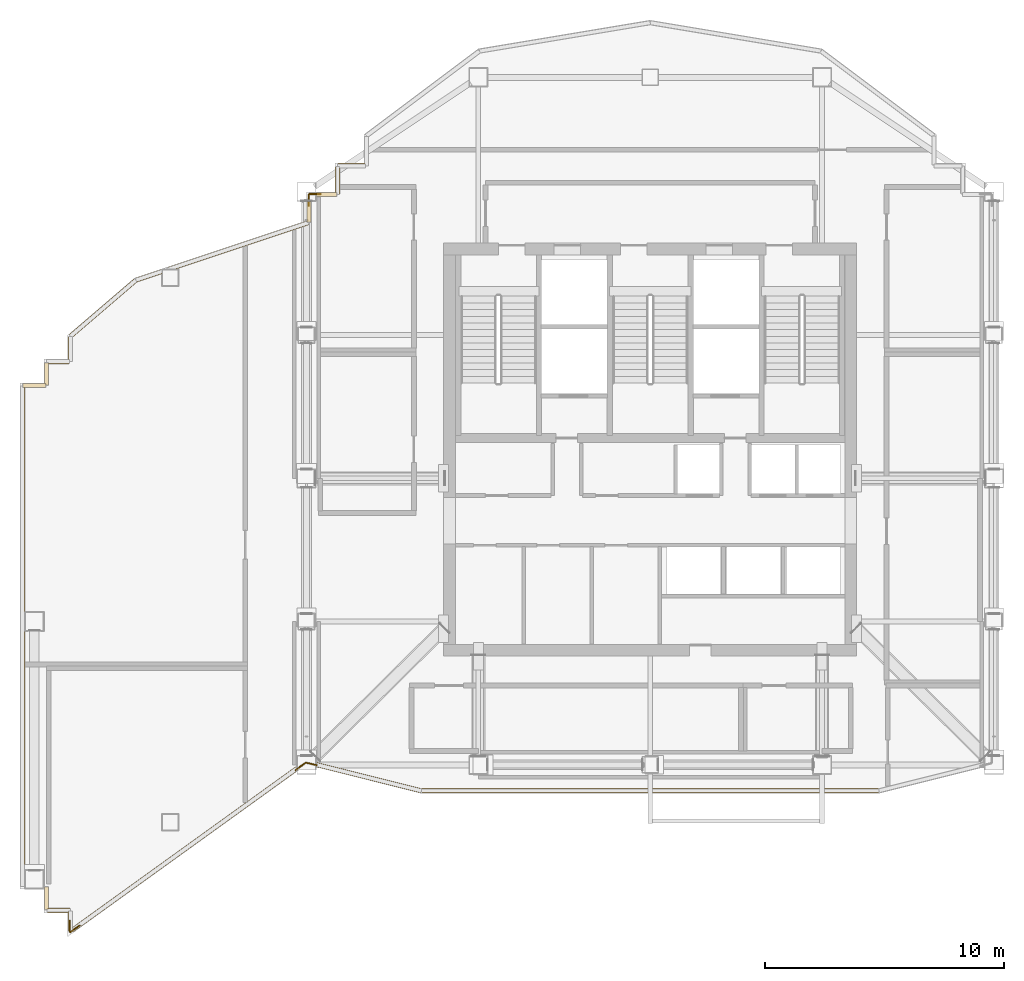
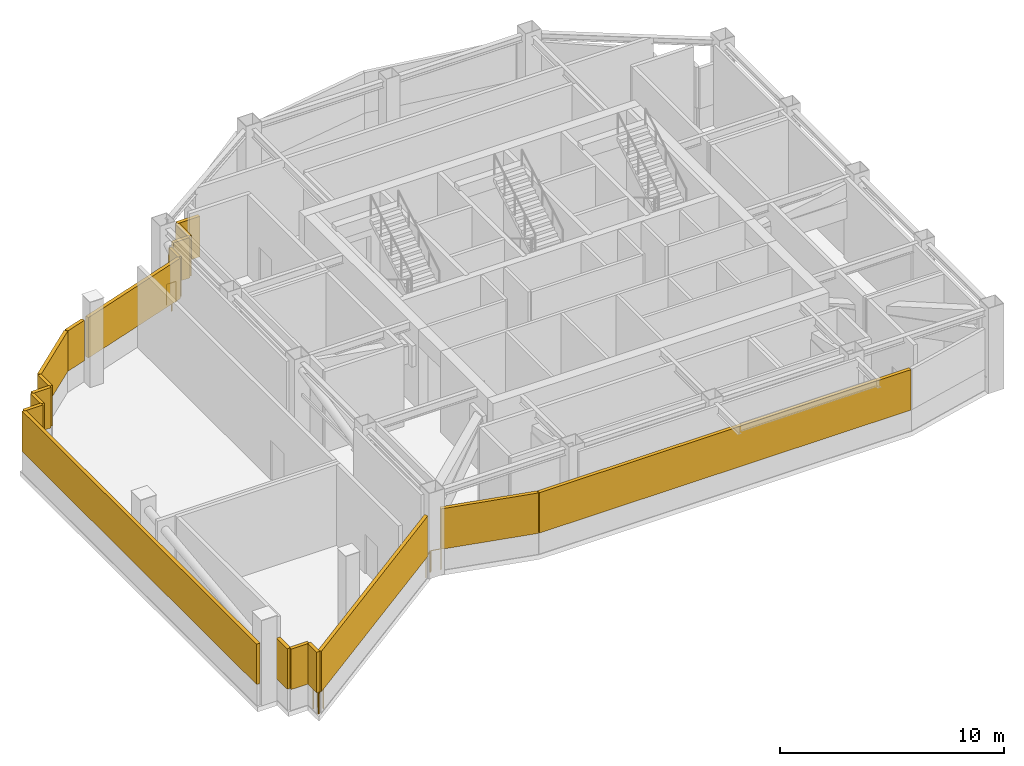
# One storey, part 13 of 15: 18 shading devices, 6 railings.
"""IFC4 building model written with IfcOpenShell, lengths in metres."""

from ifc_helpers import new_model, si_unit, direction, frame, origin, origin_2d, place, context, subcontext, project, spatial, rectangle, circle, extrude, material, type_object, element, save


model = new_model("IFC4")

# Units and contexts
model_context = context("Model", 3, precision=1e-05, world=origin(), true_north=direction((0.0, 1.0)))
body_context = subcontext(model_context, "Body", "Model", "MODEL_VIEW")
ifc_project = project(units=[si_unit("LENGTHUNIT", "METRE"), si_unit("AREAUNIT", "SQUARE_METRE"), si_unit("VOLUMEUNIT", "CUBIC_METRE"), si_unit("PLANEANGLEUNIT", "RADIAN"), si_unit("MASSUNIT", "GRAM", prefix="KILO")], contexts=[model_context])

# Site, building, storey
site_placement = place(None, origin())
site = spatial("IfcSite", under=ifc_project, at=site_placement, CompositionType="ELEMENT")
building_placement = place(site_placement, origin())
building = spatial("IfcBuilding", under=site, at=building_placement, Name="Haolan Belvedere Tower", CompositionType="ELEMENT")
storey_placement = place(building_placement, frame((0.0, 0.0, 277.550048828125)))
storey = spatial("IfcBuildingStorey", under=building, at=storey_placement, Name="L70", CompositionType="ELEMENT", Elevation=277.550048828125)

# Railings
ifc_material_1 = material(Name="Galvanised powder-coated steel guardrail", Category="steel")
railing_type = type_object("IfcRailingType", Name="RL-REF-GRD-1150", PredefinedType="GUARDRAIL", material=ifc_material_1)
railing_1_placement = place(storey_placement, frame((24.42578125, 21.586181640625, 0.0)))
element("IfcRailing", 1, at=railing_1_placement, inside=storey, type_object=railing_type, Name="L70 refuge corner safety guardrail 1A", PredefinedType="GUARDRAIL", context=body_context, shape_type="SweptSolid", body=[
    extrude(circle(Radius=0.02392578125, at=origin_2d()), frame((0.0, 0.0, 1.1259765625), z_axis=(-0.974532291101, 0.224247215372, 0.0), x_axis=(-0.224247215372, -0.974532291101, 0.0)), (0.0, 0.0, 1.0), 0.466064453125),
    extrude(circle(Radius=0.02099609375, at=origin_2d()), origin(), (0.0, 0.0, 1.0), 1.101806640625),
    extrude(circle(Radius=0.02099609375, at=origin_2d()), frame((-0.4541015625, 0.1044921875, 0.0)), (0.0, 0.0, 1.0), 1.101806640625),
])
railing_2_placement = place(storey_placement, frame((23.923095703125, 21.655517578125, 0.0)))
element("IfcRailing", 2, at=railing_2_placement, inside=storey, type_object=railing_type, Name="L70 refuge corner safety guardrail 1B", PredefinedType="GUARDRAIL", context=body_context, shape_type="SweptSolid", body=[
    extrude(circle(Radius=0.02392578125, at=origin_2d()), frame((0.0, 0.0, 1.1259765625), z_axis=(-0.811622975054, -0.584181603925, 0.0), x_axis=(0.584181603925, -0.811622975054, 0.0)), (0.0, 0.0, 1.0), 0.47021484375),
    extrude(circle(Radius=0.02099609375, at=origin_2d()), origin(), (0.0, 0.0, 1.0), 1.101806640625),
    extrude(circle(Radius=0.02099609375, at=origin_2d()), frame((-0.381591796875, -0.274658203125, 0.0)), (0.0, 0.0, 1.0), 1.101806640625),
])
railing_3_placement = place(storey_placement, frame((24.090087890625, 45.010009765625, 0.0)))
element("IfcRailing", 3, at=railing_3_placement, inside=storey, type_object=railing_type, Name="L70 refuge corner safety guardrail 4A", PredefinedType="GUARDRAIL", context=body_context, shape_type="SweptSolid", body=[
    extrude(circle(Radius=0.02392578125, at=origin_2d()), frame((0.0, 0.0, 1.1259765625), z_axis=(0.0, 1.0, 0.0), x_axis=(-1.0, 0.0, 0.0)), (0.0, 0.0, 1.0), 0.469970703125),
    extrude(circle(Radius=0.02099609375, at=origin_2d()), origin(), (0.0, 0.0, 1.0), 1.101806640625),
    extrude(circle(Radius=0.02099609375, at=origin_2d()), frame((0.0, 0.469970703125, 0.0)), (0.0, 0.0, 1.0), 1.101806640625),
])
railing_4_placement = place(storey_placement, frame((24.1201171875, 45.510009765625, 0.0)))
element("IfcRailing", 4, at=railing_4_placement, inside=storey, type_object=railing_type, Name="L70 refuge corner safety guardrail 4B", PredefinedType="GUARDRAIL", context=body_context, shape_type="SweptSolid", body=[
    extrude(circle(Radius=0.02392578125, at=origin_2d()), frame((0.0, 0.0, 1.1259765625), z_axis=(1.0, 0.0, 0.0), x_axis=(0.0, 1.0, 0.0)), (0.0, 0.0, 1.0), 0.469970703125),
    extrude(circle(Radius=0.02099609375, at=origin_2d()), origin(), (0.0, 0.0, 1.0), 1.101806640625),
    extrude(circle(Radius=0.02099609375, at=origin_2d()), frame((0.469970703125, 0.0, 0.0)), (0.0, 0.0, 1.0), 1.101806640625),
])
railing_5_placement = place(storey_placement, frame((14.495849609375, 14.867919921875, 0.0)))
element("IfcRailing", 5, at=railing_5_placement, inside=storey, type_object=railing_type, Name="L70 refuge corner safety guardrail 5A", PredefinedType="GUARDRAIL", context=body_context, shape_type="SweptSolid", body=[
    extrude(circle(Radius=0.02392578125, at=origin_2d()), frame((0.0, 0.0, 1.1259765625), z_axis=(-0.811622975054, -0.584181603925, 0.0), x_axis=(0.584181603925, -0.811622975054, 0.0)), (0.0, 0.0, 1.0), 0.47021484375),
    extrude(circle(Radius=0.02099609375, at=origin_2d()), origin(), (0.0, 0.0, 1.0), 1.101806640625),
    extrude(circle(Radius=0.02099609375, at=origin_2d()), frame((-0.381591796875, -0.274658203125, 0.0)), (0.0, 0.0, 1.0), 1.101806640625),
])
railing_6_placement = place(storey_placement, frame((14.090087890625, 14.605712890625, 0.0)))
element("IfcRailing", 6, at=railing_6_placement, inside=storey, type_object=railing_type, Name="L70 refuge corner safety guardrail 5B", PredefinedType="GUARDRAIL", context=body_context, shape_type="SweptSolid", body=[
    extrude(circle(Radius=0.02392578125, at=origin_2d()), frame((0.0, 0.0, 1.1259765625), z_axis=(0.0, 1.0, 0.0), x_axis=(-1.0, 0.0, 0.0)), (0.0, 0.0, 1.0), 0.469970703125),
    extrude(circle(Radius=0.02099609375, at=origin_2d()), origin(), (0.0, 0.0, 1.0), 1.101806640625),
    extrude(circle(Radius=0.02099609375, at=origin_2d()), frame((0.0, 0.469970703125, 0.0)), (0.0, 0.0, 1.0), 1.101806640625),
])

# Shading devices
ifc_material_2 = material(Name="Anodised champagne-silver aluminium 6063-T6", Category="aluminium")
shading_device_type = type_object("IfcShadingDeviceType", Name="SHD-LOUV-180", PredefinedType="JALOUSIE", material=ifc_material_2)
shading_device_1_placement = place(storey_placement, frame((38.39990234375, 20.510009765625, 1.14990234375), z_axis=(0.0, 0.0, 1.0), x_axis=(1.0, 0.0, 0.0)))
element("IfcShadingDevice", 7, at=shading_device_1_placement, inside=storey, type_object=shading_device_type, Name="L70 refuge storm-proof louvre bank 1.1", PredefinedType="JALOUSIE", context=body_context, shape_type="SweptSolid", body=[
    extrude(rectangle(XDim=19.133056640625, YDim=0.179931640625, at=origin_2d()), origin(), (0.0, 0.0, 1.0), 2.199951171875),
])
for number, where, z_axis, x_axis, name in (
    (8, (25.89501953125, 46.68994140625, 1.14990234375), (0.0, 0.0, 1.0), (-1.0, 0.0, 0.0), "L70 refuge storm-proof louvre bank 13.1"),
    (9, (25.31005859375, 46.074951171875, 1.14990234375), (0.0, 0.0, 1.0), (0.0, -1.0, 0.0), "L70 refuge storm-proof louvre bank 14.1"),
):
    element("IfcShadingDevice", number, at=place(storey_placement, frame(where, z_axis=z_axis, x_axis=x_axis)), inside=storey, type_object=shading_device_type, Name=name, PredefinedType="JALOUSIE", context=body_context, shape_type="SweptSolid", body=[
        extrude(rectangle(XDim=1.1298828125, YDim=0.179931640625, at=origin_2d()), origin(), (0.0, 0.0, 1.0), 2.199951171875),
    ])
shading_device_2_placement = place(storey_placement, frame((24.8359375, 45.489990234375, 1.14990234375), z_axis=(0.0, 0.0, 1.0), x_axis=(-1.0, 0.0, 0.0)))
element("IfcShadingDevice", 10, at=shading_device_2_placement, inside=storey, type_object=shading_device_type, Name="L70 refuge storm-proof louvre bank 15.1", PredefinedType="JALOUSIE", context=body_context, shape_type="SweptSolid", body=[
    extrude(rectangle(XDim=0.847900390625, YDim=0.179931640625, at=origin_2d()), origin(), (0.0, 0.0, 1.0), 2.199951171875),
])
shading_device_3_placement = place(storey_placement, frame((24.110107421875, 44.764404296875, 1.14990234375), z_axis=(0.0, 0.0, 1.0), x_axis=(0.0, -1.0, 0.0)))
element("IfcShadingDevice", 11, at=shading_device_3_placement, inside=storey, type_object=shading_device_type, Name="L70 refuge storm-proof louvre bank 16.1", PredefinedType="JALOUSIE", context=body_context, shape_type="SweptSolid", body=[
    extrude(rectangle(XDim=0.847412109375, YDim=0.179931640625, at=origin_2d()), origin(), (0.0, 0.0, 1.0), 2.199951171875),
])
shading_device_4_placement = place(storey_placement, frame((21.127685546875, 43.32666015625, 1.14990234375), z_axis=(0.0, 0.0, 1.0), x_axis=(-0.948688534679, -0.316212055698, 0.0)))
element("IfcShadingDevice", 12, at=shading_device_4_placement, inside=storey, type_object=shading_device_type, Name="L70 refuge storm-proof louvre bank 17.1", PredefinedType="JALOUSIE", context=body_context, shape_type="SweptSolid", body=[
    extrude(rectangle(XDim=6.187255859375, YDim=0.179931640625, at=origin_2d()), origin(), (0.0, 0.0, 1.0), 2.199951171875),
])
shading_device_5_placement = place(storey_placement, frame((17.406494140625, 42.086181640625, 1.14990234375), z_axis=(0.0, 0.0, 1.0), x_axis=(-0.948683015593, -0.316228613389, 0.0)))
element("IfcShadingDevice", 13, at=shading_device_5_placement, inside=storey, type_object=shading_device_type, Name="L70 refuge storm-proof louvre bank 17.2", PredefinedType="JALOUSIE", context=body_context, shape_type="SweptSolid", body=[
    extrude(rectangle(XDim=1.12255859375, YDim=0.179931640625, at=origin_2d()), origin(), (0.0, 0.0, 1.0), 2.199951171875),
])
shading_device_6_placement = place(storey_placement, frame((15.482666015625, 40.725830078125, 1.14990234375), z_axis=(0.0, 0.0, 1.0), x_axis=(-0.759248590567, -0.650800720438, 0.0)))
element("IfcShadingDevice", 14, at=shading_device_6_placement, inside=storey, type_object=shading_device_type, Name="L70 refuge storm-proof louvre bank 18.1", PredefinedType="JALOUSIE", context=body_context, shape_type="SweptSolid", body=[
    extrude(rectangle(XDim=3.57568359375, YDim=0.179931640625, at=origin_2d()), origin(), (0.0, 0.0, 1.0), 2.199951171875),
])
shading_device_7_placement = place(storey_placement, frame((14.110107421875, 39.019775390625, 1.14990234375), z_axis=(0.0, 0.0, 1.0), x_axis=(0.0, -1.0, 0.0)))
element("IfcShadingDevice", 15, at=shading_device_7_placement, inside=storey, type_object=shading_device_type, Name="L70 refuge storm-proof louvre bank 19.1", PredefinedType="JALOUSIE", context=body_context, shape_type="SweptSolid", body=[
    extrude(rectangle(XDim=1.019287109375, YDim=0.179931640625, at=origin_2d()), origin(), (0.0, 0.0, 1.0), 2.199951171875),
])
for number, where, z_axis, x_axis, name in (
    (16, (13.594970703125, 38.489990234375, 1.14990234375), (0.0, 0.0, 1.0), (-1.0, 0.0, 0.0), "L70 refuge storm-proof louvre bank 20.1"),
    (17, (13.110107421875, 37.97509765625, 1.14990234375), (0.0, 0.0, 1.0), (0.0, -1.0, 0.0), "L70 refuge storm-proof louvre bank 21.1"),
    (18, (12.594970703125, 37.489990234375, 1.14990234375), (0.0, 0.0, 1.0), (-1.0, 0.0, 0.0), "L70 refuge storm-proof louvre bank 22.1"),
):
    element("IfcShadingDevice", number, at=place(storey_placement, frame(where, z_axis=z_axis, x_axis=x_axis)), inside=storey, type_object=shading_device_type, Name=name, PredefinedType="JALOUSIE", context=body_context, shape_type="SweptSolid", body=[
        extrude(rectangle(XDim=0.929931640625, YDim=0.179931640625, at=origin_2d()), origin(), (0.0, 0.0, 1.0), 2.199951171875),
    ])
shading_device_8_placement = place(storey_placement, frame((12.110107421875, 26.985107421875, 1.14990234375), z_axis=(0.0, 0.0, 1.0), x_axis=(0.0, -1.0, 0.0)))
element("IfcShadingDevice", 19, at=shading_device_8_placement, inside=storey, type_object=shading_device_type, Name="L70 refuge storm-proof louvre bank 23.1", PredefinedType="JALOUSIE", context=body_context, shape_type="SweptSolid", body=[
    extrude(rectangle(XDim=20.909912109375, YDim=0.179931640625, at=origin_2d()), origin(), (0.0, 0.0, 1.0), 2.199951171875),
])
shading_device_9_placement = place(storey_placement, frame((13.110107421875, 16.010009765625, 1.14990234375), z_axis=(0.0, 0.0, 1.0), x_axis=(0.0, -1.0, 0.0)))
element("IfcShadingDevice", 20, at=shading_device_9_placement, inside=storey, type_object=shading_device_type, Name="L70 refuge storm-proof louvre bank 25.1", PredefinedType="JALOUSIE", context=body_context, shape_type="SweptSolid", body=[
    extrude(rectangle(XDim=0.9599609375, YDim=0.179931640625, at=origin_2d()), origin(), (0.0, 0.0, 1.0), 2.199951171875),
])
shading_device_10_placement = place(storey_placement, frame((13.625, 15.510009765625, 1.14990234375), z_axis=(0.0, 0.0, 1.0), x_axis=(1.0, 0.0, 0.0)))
element("IfcShadingDevice", 21, at=shading_device_10_placement, inside=storey, type_object=shading_device_type, Name="L70 refuge storm-proof louvre bank 26.1", PredefinedType="JALOUSIE", context=body_context, shape_type="SweptSolid", body=[
    extrude(rectangle(XDim=0.929931640625, YDim=0.179931640625, at=origin_2d()), origin(), (0.0, 0.0, 1.0), 2.199951171875),
])
shading_device_11_placement = place(storey_placement, frame((14.110107421875, 15.04736328125, 1.14990234375), z_axis=(0.0, 0.0, 1.0), x_axis=(0.0, -1.0, 0.0)))
element("IfcShadingDevice", 22, at=shading_device_11_placement, inside=storey, type_object=shading_device_type, Name="L70 refuge storm-proof louvre bank 27.1", PredefinedType="JALOUSIE", context=body_context, shape_type="SweptSolid", body=[
    extrude(rectangle(XDim=0.8251953125, YDim=0.179931640625, at=origin_2d()), origin(), (0.0, 0.0, 1.0), 2.199951171875),
])
shading_device_12_placement = place(storey_placement, frame((18.8955078125, 18.060302734375, 1.14990234375), z_axis=(0.0, 0.0, 1.0), x_axis=(0.811533191666, 0.584306322766, 0.0)))
element("IfcShadingDevice", 23, at=shading_device_12_placement, inside=storey, type_object=shading_device_type, Name="L70 refuge storm-proof louvre bank 28.1", PredefinedType="JALOUSIE", context=body_context, shape_type="SweptSolid", body=[
    extrude(rectangle(XDim=11.57373046875, YDim=0.179931640625, at=origin_2d()), origin(), (0.0, 0.0, 1.0), 2.199951171875),
])
shading_device_13_placement = place(storey_placement, frame((26.602783203125, 21.062744140625, 1.14990234375), z_axis=(0.0, 0.0, 1.0), x_axis=(0.970139297626, -0.242548434753, 0.0)))
element("IfcShadingDevice", 24, at=shading_device_13_placement, inside=storey, type_object=shading_device_type, Name="L70 refuge storm-proof louvre bank 29.1", PredefinedType="JALOUSIE", context=body_context, shape_type="SweptSolid", body=[
    extrude(rectangle(XDim=4.517578125, YDim=0.179931640625, at=origin_2d()), origin(), (0.0, 0.0, 1.0), 2.199951171875),
])

save(model, "model.ifc")
